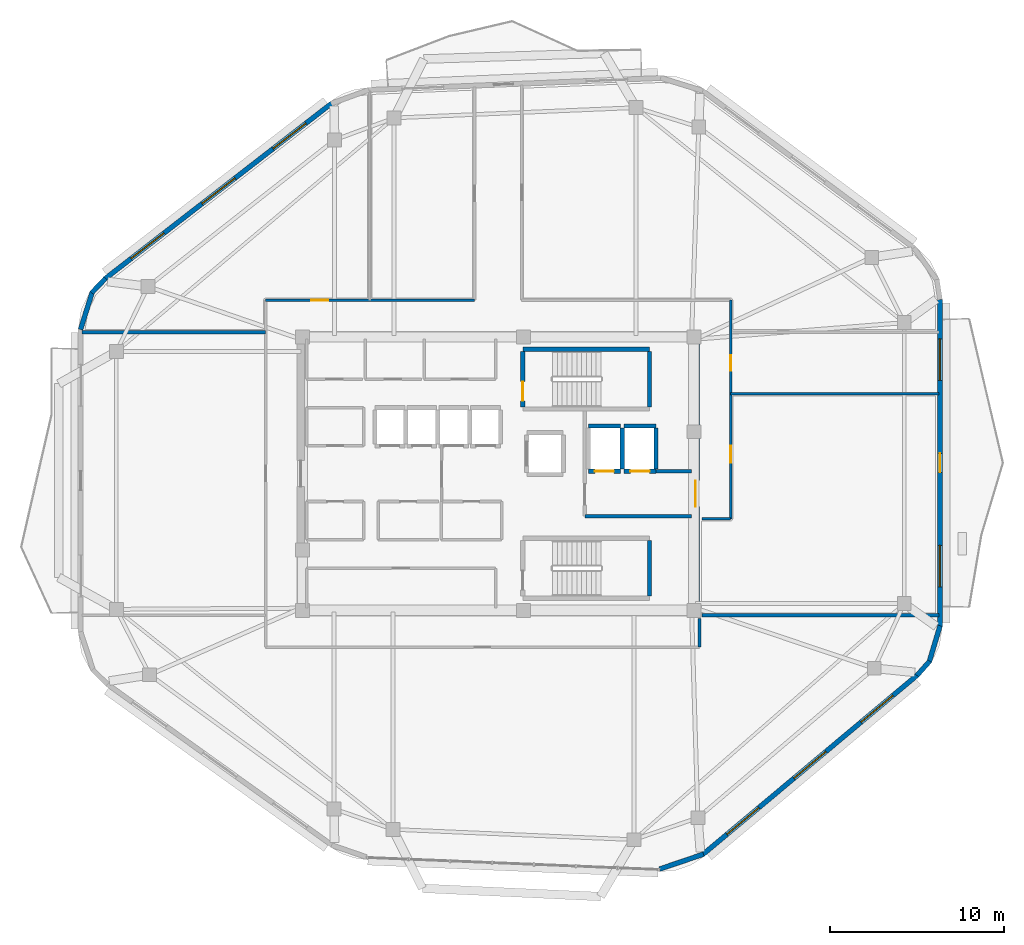
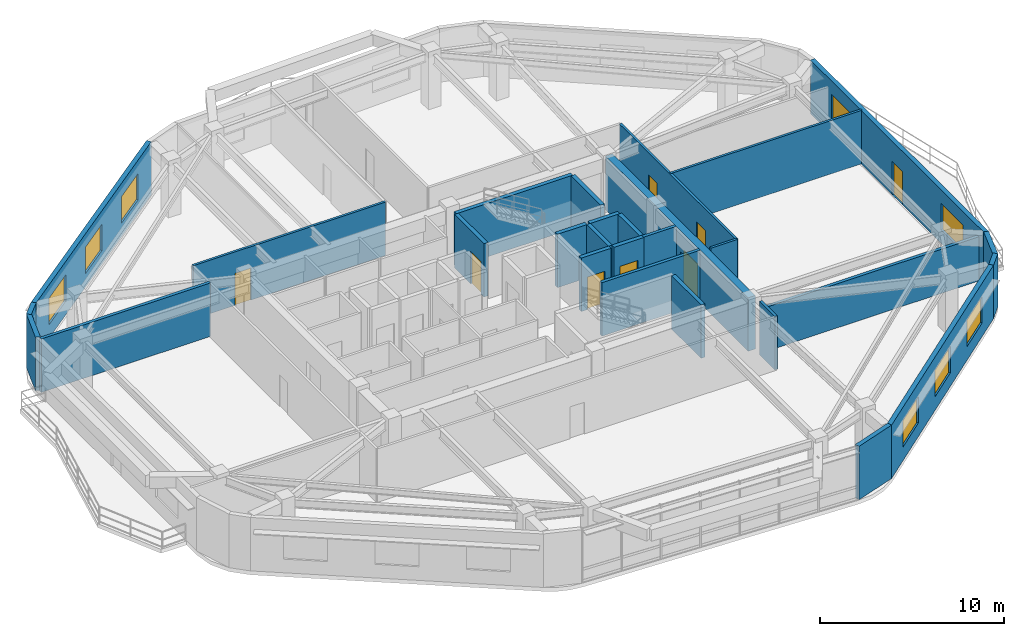
# One storey, part 9 of 13: 28 walls, 8 doors, 8 windows, 16 openings.
"""IFC4 building model written with IfcOpenShell, lengths in metres."""

from ifc_helpers import new_model, si_unit, direction, frame, frame_2d, origin, place, context, subcontext, project, spatial, rectangle, extrude, material, layer, layer_set, type_object, element, fill, save


model = new_model("IFC4")

# Units and contexts
model_context = context("Model", 3, precision=1e-05, world=origin(), true_north=direction((0.0, 1.0)))
body_context = subcontext(model_context, "Body", "Model", "MODEL_VIEW")
ifc_project = project(units=[si_unit("LENGTHUNIT", "METRE"), si_unit("AREAUNIT", "SQUARE_METRE"), si_unit("VOLUMEUNIT", "CUBIC_METRE"), si_unit("PLANEANGLEUNIT", "RADIAN"), si_unit("MASSUNIT", "GRAM", prefix="KILO")], contexts=[model_context])

# Site, building, storey
site_placement = place(None, origin())
site = spatial("IfcSite", under=ifc_project, at=site_placement, CompositionType="ELEMENT")
building_placement = place(site_placement, origin())
building = spatial("IfcBuilding", under=site, at=building_placement, Name="Zulverin Broadcast Headquarters", CompositionType="ELEMENT")
storey_placement = place(building_placement, frame((0.0, 0.0, 278.199951171875)))
storey = spatial("IfcBuildingStorey", under=building, at=storey_placement, Name="L71", CompositionType="ELEMENT", Elevation=278.199951171875)

# Walls
ifc_material_1 = material(Name="Acoustic drywall steel stud", Category="steel")
ifc_layer_1 = layer(ifc_material_1, 0.199951171875, Name="Acoustic drywall steel stud", Category="steel")
ifc_layer_set_1 = layer_set([ifc_layer_1], Name="Acoustic drywall steel stud")
wall_type_1 = type_object("IfcWallType", Name="WL-ACOU-200", PredefinedType="PARTITIONING", material=ifc_layer_set_1)
wall_1_placement = place(storey_placement, frame((48.739990234375, 17.050048828125, 0.0), z_axis=(0.0, 0.0, 1.0), x_axis=(1.0, 0.0, 0.0)))
element("IfcWall", 1, at=wall_1_placement, inside=storey, type_object=wall_type_1, Name="L71 Room Partition Wall RP-09", PredefinedType="PARTITIONING", context=body_context, shape_type="SweptSolid", body=[
    extrude(rectangle(XDim=13.655029296875, YDim=0.199951171875, at=frame_2d((6.82763671875, 0.0))), origin(), (0.0, 0.0, 1.0), 2.9228515625),
])
wall_2_placement = place(storey_placement, frame((13.0048828125, 33.35009765625, 0.0), z_axis=(0.0, 0.0, 1.0), x_axis=(1.0, 0.0, 0.0)))
element("IfcWall", 2, at=wall_2_placement, inside=storey, type_object=wall_type_1, Name="L71 Room Partition Wall RP-12", PredefinedType="PARTITIONING", context=body_context, shape_type="SweptSolid", body=[
    extrude(rectangle(XDim=10.59521484375, YDim=0.199951171875, at=frame_2d((5.297607421875, 0.0))), origin(), (0.0, 0.0, 1.0), 3.5400390625),
])

# Wall, opening, door
ifc_material_2 = material(Name="Concrete C50/60", Category="concrete")
ifc_layer_2 = layer(ifc_material_2, 0.449951171875, Name="Concrete C50/60", Category="concrete")
ifc_layer_set_2 = layer_set([ifc_layer_2], Name="Concrete C50/60")
wall_type_2 = type_object("IfcWallType", Name="WL-CORE-450", PredefinedType="SHEAR", material=ifc_layer_set_2)
wall_3_placement = place(storey_placement, frame((48.375, 17.449951171875, 0.0), z_axis=(0.0, 0.0, 1.0), x_axis=(0.0, 1.0, 0.0)))
wall_3 = element("IfcWall", 3, at=wall_3_placement, inside=storey, type_object=wall_type_2, Name="L71 Core East Shear Wall", PredefinedType="SHEAR", context=body_context, shape_type="SweptSolid", body=[
    extrude(rectangle(XDim=15.5, YDim=0.449951171875, at=frame_2d((7.75, 0.0))), origin(), (0.0, 0.0, 1.0), 3.5400390625),
])
opening_1_placement = place(wall_3_placement, frame((5.85009765625, 0.0, 0.0)))
opening_1 = element("IfcOpeningElement", 4, at=opening_1_placement, cuts=wall_3, Name="Opening D-L71-CE1", PredefinedType="OPENING", context=body_context, shape_type="SweptSolid", body=[
    extrude(rectangle(XDim=1.5, YDim=2.14990234375, at=frame_2d((0.75, 1.074951171875))), frame((0.0, 0.23486328125, 0.0), z_axis=(0.0, -1.0, 0.0), x_axis=(1.0, 0.0, 0.0)), (0.0, 0.0, 1.0), 0.469970703125),
])
ifc_material_3 = material(Name="Fire-rated glazed steel frame", Category="steel")
door_type_1 = type_object("IfcDoorType", Name="DR-COR-1500", OperationType="DOUBLE_DOOR_SINGLE_SWING", PredefinedType="DOOR", material=ifc_material_3)
door_1_placement = place(opening_1_placement, origin())
door_1 = element("IfcDoor", 5, at=door_1_placement, inside=storey, type_object=door_type_1, Name="L71 Firefighting Lobby East Corridor Door", OperationType="DOUBLE_DOOR_SINGLE_SWING", OverallHeight=2.14990234375, OverallWidth=1.5, PredefinedType="DOOR", context=body_context, shape_type="SweptSolid", body=[
    extrude(rectangle(XDim=1.5, YDim=2.14990234375, at=frame_2d((0.75, 1.074951171875))), frame((0.0, 0.02490234375, 0.0), z_axis=(0.0, -1.0, 0.0), x_axis=(1.0, 0.0, 0.0)), (0.0, 0.0, 1.0), 0.050048828125),
])
fill(opening_1, door_1)

# Wall, openings, windows
ifc_material_4 = material(Name="Insulated pale-metal clad concrete spandrel C40/50", Category="concrete")
ifc_layer_3 = layer(ifc_material_4, 0.280029296875, Name="Insulated pale-metal clad concrete spandrel C40/50", Category="concrete")
ifc_layer_set_3 = layer_set([ifc_layer_3], Name="Insulated pale-metal clad concrete spandrel C40/50")
wall_type_3 = type_object("IfcWallType", Name="WL-EXT-280", PredefinedType="STANDARD", material=ifc_layer_set_3)
wall_4_placement = place(storey_placement, frame((48.788818359375, 3.249755859375, 0.0), z_axis=(0.0, 0.0, 1.0), x_axis=(0.767032672101, 0.641608042288, 0.0)))
wall_4 = element("IfcWall", 6, at=wall_4_placement, inside=storey, type_object=wall_type_3, Name="L71 Pale-Metal Clad Spandrel Wall 2", PredefinedType="STANDARD", context=body_context, shape_type="SweptSolid", body=[
    extrude(rectangle(XDim=16.11328125, YDim=0.280029296875, at=frame_2d((8.056640625, 0.0))), origin(), (0.0, 0.0, 1.0), 3.5400390625),
])
opening_2_placement = place(wall_4_placement, frame((1.81884765625, 0.0, 0.89990234375)))
opening_2 = element("IfcOpeningElement", 7, at=opening_2_placement, cuts=wall_4, Name="Opening W-L71-E21", PredefinedType="OPENING", context=body_context, shape_type="SweptSolid", body=[
    extrude(rectangle(XDim=2.39990234375, YDim=1.75, at=frame_2d((1.199951171875, 0.875))), frame((0.0, 0.14990234375, 0.0), z_axis=(0.0, -1.0, 0.0), x_axis=(1.0, 0.0, 0.0)), (0.0, 0.0, 1.0), 0.300048828125),
])
opening_3_placement = place(wall_4_placement, frame((6.856689453125, 0.0, 0.89990234375)))
opening_3 = element("IfcOpeningElement", 8, at=opening_3_placement, cuts=wall_4, Name="Opening W-L71-E22", PredefinedType="OPENING", context=body_context, shape_type="SweptSolid", body=[
    extrude(rectangle(XDim=2.39990234375, YDim=1.75, at=frame_2d((1.199951171875, 0.875))), frame((0.0, 0.14990234375, 0.0), z_axis=(0.0, -1.0, 0.0), x_axis=(1.0, 0.0, 0.0)), (0.0, 0.0, 1.0), 0.300048828125),
])
opening_4_placement = place(wall_4_placement, frame((11.89453125, 0.0, 0.89990234375)))
opening_4 = element("IfcOpeningElement", 9, at=opening_4_placement, cuts=wall_4, Name="Opening W-L71-E23", PredefinedType="OPENING", context=body_context, shape_type="SweptSolid", body=[
    extrude(rectangle(XDim=2.39990234375, YDim=1.75, at=frame_2d((1.199951171875, 0.875))), frame((0.0, 0.14990234375, 0.0), z_axis=(0.0, -1.0, 0.0), x_axis=(1.0, 0.0, 0.0)), (0.0, 0.0, 1.0), 0.300048828125),
])
ifc_material_5 = material(Name="Pale anodized aluminium frame with solar-control low-E double glazing", Category="aluminium")
window_type = type_object("IfcWindowType", Name="WIN-RIB-2400", PartitioningType="SINGLE_PANEL", PredefinedType="WINDOW", material=ifc_material_5)
window_1_placement = place(opening_2_placement, origin())
window_1 = element("IfcWindow", 10, at=window_1_placement, inside=storey, type_object=window_type, Name="L71 Ribbon Glazing Window 2 1", OverallHeight=1.75, OverallWidth=2.39990234375, PartitioningType="SINGLE_PANEL", PredefinedType="WINDOW", context=body_context, shape_type="SweptSolid", body=[
    extrude(rectangle(XDim=2.39990234375, YDim=1.75, at=frame_2d((1.199951171875, 0.875))), frame((0.0, 0.030029296875, 0.0), z_axis=(0.0, -1.0, 0.0), x_axis=(1.0, 0.0, 0.0)), (0.0, 0.0, 1.0), 0.06005859375),
])
fill(opening_2, window_1)
window_2_placement = place(opening_3_placement, origin())
window_2 = element("IfcWindow", 11, at=window_2_placement, inside=storey, type_object=window_type, Name="L71 Ribbon Glazing Window 2 2", OverallHeight=1.75, OverallWidth=2.39990234375, PartitioningType="SINGLE_PANEL", PredefinedType="WINDOW", context=body_context, shape_type="SweptSolid", body=[
    extrude(rectangle(XDim=2.39990234375, YDim=1.75, at=frame_2d((1.199951171875, 0.875))), frame((0.0, 0.030029296875, 0.0), z_axis=(0.0, -1.0, 0.0), x_axis=(1.0, 0.0, 0.0)), (0.0, 0.0, 1.0), 0.06005859375),
])
fill(opening_3, window_2)
window_3_placement = place(opening_4_placement, origin())
window_3 = element("IfcWindow", 12, at=window_3_placement, inside=storey, type_object=window_type, Name="L71 Ribbon Glazing Window 2 3", OverallHeight=1.75, OverallWidth=2.39990234375, PartitioningType="SINGLE_PANEL", PredefinedType="WINDOW", context=body_context, shape_type="SweptSolid", body=[
    extrude(rectangle(XDim=2.39990234375, YDim=1.75, at=frame_2d((1.199951171875, 0.875))), frame((0.0, 0.030029296875, 0.0), z_axis=(0.0, -1.0, 0.0), x_axis=(1.0, 0.0, 0.0)), (0.0, 0.0, 1.0), 0.06005859375),
])
fill(opening_4, window_3)

# Wall, openings, door, windows
wall_5_placement = place(storey_placement, frame((62.4599609375, 16.3955078125, 0.0), z_axis=(0.0, 0.0, 1.0), x_axis=(0.0, 1.0, 0.0)))
wall_5 = element("IfcWall", 13, at=wall_5_placement, inside=storey, type_object=wall_type_3, Name="L71 Pale-Metal Clad Spandrel Wall 3", PredefinedType="STANDARD", context=body_context, shape_type="SweptSolid", body=[
    extrude(rectangle(XDim=18.8544921875, YDim=0.280029296875, at=frame_2d((9.42724609375, 0.0))), origin(), (0.0, 0.0, 1.0), 3.5400390625),
])
opening_5_placement = place(wall_5_placement, frame((8.877197265625, 0.0, 0.0)))
opening_5 = element("IfcOpeningElement", 14, at=opening_5_placement, cuts=wall_5, Name="Opening D-L71-TR3", PredefinedType="OPENING", context=body_context, shape_type="SweptSolid", body=[
    extrude(rectangle(XDim=1.10009765625, YDim=2.199951171875, at=frame_2d((0.550048828125, 1.10009765625))), frame((0.0, 0.14990234375, 0.0), z_axis=(0.0, -1.0, 0.0), x_axis=(1.0, 0.0, 0.0)), (0.0, 0.0, 1.0), 0.300048828125),
])
opening_6_placement = place(wall_5_placement, frame((2.27587890625, 0.0, 0.89990234375)))
opening_6 = element("IfcOpeningElement", 15, at=opening_6_placement, cuts=wall_5, Name="Opening W-L71-E31", PredefinedType="OPENING", context=body_context, shape_type="SweptSolid", body=[
    extrude(rectangle(XDim=2.39990234375, YDim=1.75, at=frame_2d((1.199951171875, 0.875))), frame((0.0, 0.14990234375, 0.0), z_axis=(0.0, -1.0, 0.0), x_axis=(1.0, 0.0, 0.0)), (0.0, 0.0, 1.0), 0.300048828125),
])
opening_7_placement = place(wall_5_placement, frame((14.1787109375, 0.0, 0.89990234375)))
opening_7 = element("IfcOpeningElement", 16, at=opening_7_placement, cuts=wall_5, Name="Opening W-L71-E32", PredefinedType="OPENING", context=body_context, shape_type="SweptSolid", body=[
    extrude(rectangle(XDim=2.39990234375, YDim=1.75, at=frame_2d((1.199951171875, 0.875))), frame((0.0, 0.14990234375, 0.0), z_axis=(0.0, -1.0, 0.0), x_axis=(1.0, 0.0, 0.0)), (0.0, 0.0, 1.0), 0.300048828125),
])
ifc_material_6 = material(Name="Thermally broken aluminium glazed", Category="aluminium")
door_type_2 = type_object("IfcDoorType", Name="DR-TERR-1100", OperationType="SINGLE_SWING_RIGHT", PredefinedType="DOOR", material=ifc_material_6)
door_2_placement = place(opening_5_placement, origin())
door_2 = element("IfcDoor", 17, at=door_2_placement, inside=storey, type_object=door_type_2, Name="L71 Planted Terrace Glazed Access Door 3", OperationType="SINGLE_SWING_RIGHT", OverallHeight=2.199951171875, OverallWidth=1.10009765625, PredefinedType="DOOR", context=body_context, shape_type="SweptSolid", body=[
    extrude(rectangle(XDim=1.10009765625, YDim=2.199951171875, at=frame_2d((0.550048828125, 1.10009765625))), frame((0.0, 0.02490234375, 0.0), z_axis=(0.0, -1.0, 0.0), x_axis=(1.0, 0.0, 0.0)), (0.0, 0.0, 1.0), 0.050048828125),
])
fill(opening_5, door_2)
window_4_placement = place(opening_6_placement, origin())
window_4 = element("IfcWindow", 18, at=window_4_placement, inside=storey, type_object=window_type, Name="L71 Ribbon Glazing Window 3 1", OverallHeight=1.75, OverallWidth=2.39990234375, PartitioningType="SINGLE_PANEL", PredefinedType="WINDOW", context=body_context, shape_type="SweptSolid", body=[
    extrude(rectangle(XDim=2.39990234375, YDim=1.75, at=frame_2d((1.199951171875, 0.875))), frame((0.0, 0.030029296875, 0.0), z_axis=(0.0, -1.0, 0.0), x_axis=(1.0, 0.0, 0.0)), (0.0, 0.0, 1.0), 0.06005859375),
])
fill(opening_6, window_4)
window_5_placement = place(opening_7_placement, origin())
window_5 = element("IfcWindow", 19, at=window_5_placement, inside=storey, type_object=window_type, Name="L71 Ribbon Glazing Window 3 2", OverallHeight=1.75, OverallWidth=2.39990234375, PartitioningType="SINGLE_PANEL", PredefinedType="WINDOW", context=body_context, shape_type="SweptSolid", body=[
    extrude(rectangle(XDim=2.39990234375, YDim=1.75, at=frame_2d((1.199951171875, 0.875))), frame((0.0, 0.030029296875, 0.0), z_axis=(0.0, -1.0, 0.0), x_axis=(1.0, 0.0, 0.0)), (0.0, 0.0, 1.0), 0.06005859375),
])
fill(opening_7, window_5)

# Wall, openings, windows
wall_6_placement = place(storey_placement, frame((27.4150390625, 46.54736328125, 0.0), z_axis=(0.0, 0.0, 1.0), x_axis=(-0.790789745248, -0.612087884875, 0.0)))
wall_6 = element("IfcWall", 20, at=wall_6_placement, inside=storey, type_object=wall_type_3, Name="L71 Pale-Metal Clad Spandrel Wall 6", PredefinedType="STANDARD", context=body_context, shape_type="SweptSolid", body=[
    extrude(rectangle(XDim=16.509033203125, YDim=0.280029296875, at=frame_2d((8.25439453125, 0.0))), origin(), (0.0, 0.0, 1.0), 3.5400390625),
])
opening_8_placement = place(wall_6_placement, frame((1.885009765625, 0.0, 0.89990234375)))
opening_8 = element("IfcOpeningElement", 21, at=opening_8_placement, cuts=wall_6, Name="Opening W-L71-E61", PredefinedType="OPENING", context=body_context, shape_type="SweptSolid", body=[
    extrude(rectangle(XDim=2.39990234375, YDim=1.75, at=frame_2d((1.199951171875, 0.875))), frame((0.0, 0.14990234375, 0.0), z_axis=(0.0, -1.0, 0.0), x_axis=(1.0, 0.0, 0.0)), (0.0, 0.0, 1.0), 0.300048828125),
])
opening_9_placement = place(wall_6_placement, frame((7.0546875, 0.0, 0.89990234375)))
opening_9 = element("IfcOpeningElement", 22, at=opening_9_placement, cuts=wall_6, Name="Opening W-L71-E62", PredefinedType="OPENING", context=body_context, shape_type="SweptSolid", body=[
    extrude(rectangle(XDim=2.39990234375, YDim=1.75, at=frame_2d((1.199951171875, 0.875))), frame((0.0, 0.14990234375, 0.0), z_axis=(0.0, -1.0, 0.0), x_axis=(1.0, 0.0, 0.0)), (0.0, 0.0, 1.0), 0.300048828125),
])
opening_10_placement = place(wall_6_placement, frame((12.224365234375, 0.0, 0.89990234375)))
opening_10 = element("IfcOpeningElement", 23, at=opening_10_placement, cuts=wall_6, Name="Opening W-L71-E63", PredefinedType="OPENING", context=body_context, shape_type="SweptSolid", body=[
    extrude(rectangle(XDim=2.39990234375, YDim=1.75, at=frame_2d((1.199951171875, 0.875))), frame((0.0, 0.14990234375, 0.0), z_axis=(0.0, -1.0, 0.0), x_axis=(1.0, 0.0, 0.0)), (0.0, 0.0, 1.0), 0.300048828125),
])
window_6_placement = place(opening_8_placement, origin())
window_6 = element("IfcWindow", 24, at=window_6_placement, inside=storey, type_object=window_type, Name="L71 Ribbon Glazing Window 6 1", OverallHeight=1.75, OverallWidth=2.39990234375, PartitioningType="SINGLE_PANEL", PredefinedType="WINDOW", context=body_context, shape_type="SweptSolid", body=[
    extrude(rectangle(XDim=2.39990234375, YDim=1.75, at=frame_2d((1.199951171875, 0.875))), frame((0.0, 0.030029296875, 0.0), z_axis=(0.0, -1.0, 0.0), x_axis=(1.0, 0.0, 0.0)), (0.0, 0.0, 1.0), 0.06005859375),
])
fill(opening_8, window_6)
window_7_placement = place(opening_9_placement, origin())
window_7 = element("IfcWindow", 25, at=window_7_placement, inside=storey, type_object=window_type, Name="L71 Ribbon Glazing Window 6 2", OverallHeight=1.75, OverallWidth=2.39990234375, PartitioningType="SINGLE_PANEL", PredefinedType="WINDOW", context=body_context, shape_type="SweptSolid", body=[
    extrude(rectangle(XDim=2.39990234375, YDim=1.75, at=frame_2d((1.199951171875, 0.875))), frame((0.0, 0.030029296875, 0.0), z_axis=(0.0, -1.0, 0.0), x_axis=(1.0, 0.0, 0.0)), (0.0, 0.0, 1.0), 0.06005859375),
])
fill(opening_9, window_7)
window_8_placement = place(opening_10_placement, origin())
window_8 = element("IfcWindow", 26, at=window_8_placement, inside=storey, type_object=window_type, Name="L71 Ribbon Glazing Window 6 3", OverallHeight=1.75, OverallWidth=2.39990234375, PartitioningType="SINGLE_PANEL", PredefinedType="WINDOW", context=body_context, shape_type="SweptSolid", body=[
    extrude(rectangle(XDim=2.39990234375, YDim=1.75, at=frame_2d((1.199951171875, 0.875))), frame((0.0, 0.030029296875, 0.0), z_axis=(0.0, -1.0, 0.0), x_axis=(1.0, 0.0, 0.0)), (0.0, 0.0, 1.0), 0.06005859375),
])
fill(opening_10, window_8)

# Walls
wall_7_placement = place(storey_placement, frame((46.301025390625, 2.413818359375, 0.0), z_axis=(0.0, 0.0, 1.0), x_axis=(0.946767737654, 0.321917459819, 0.0)))
element("IfcWall", 27, at=wall_7_placement, inside=storey, type_object=wall_type_3, Name="L71 Wind-Shaped Corner Spandrel Wall 1-1", PredefinedType="STANDARD", context=body_context, shape_type="SweptSolid", body=[
    extrude(rectangle(XDim=2.6748046875, YDim=0.280029296875, at=frame_2d((1.33740234375, 0.0))), origin(), (0.0, 0.0, 1.0), 3.5400390625),
])
wall_8_placement = place(storey_placement, frame((61.133544921875, 13.573974609375, 0.0), z_axis=(0.0, 0.0, 1.0), x_axis=(0.665804679247, 0.74612608123, 0.0)))
element("IfcWall", 28, at=wall_8_placement, inside=storey, type_object=wall_type_3, Name="L71 Wind-Shaped Corner Spandrel Wall 2-1", PredefinedType="STANDARD", context=body_context, shape_type="SweptSolid", body=[
    extrude(rectangle(XDim=1.103271484375, YDim=0.280029296875, at=frame_2d((0.5517578125, 0.0))), origin(), (0.0, 0.0, 1.0), 3.5400390625),
])
wall_9_placement = place(storey_placement, frame((61.838623046875, 14.34423828125, 0.0), z_axis=(0.0, 0.0, 1.0), x_axis=(0.287235049694, 0.957860128739, 0.0)))
element("IfcWall", 29, at=wall_9_placement, inside=storey, type_object=wall_type_3, Name="L71 Wind-Shaped Corner Spandrel Wall 2-2", PredefinedType="STANDARD", context=body_context, shape_type="SweptSolid", body=[
    extrude(rectangle(XDim=2.18359375, YDim=0.280029296875, at=frame_2d((1.091796875, 0.0))), origin(), (0.0, 0.0, 1.0), 3.5400390625),
])
wall_10_placement = place(storey_placement, frame((14.37548828125, 36.45654296875, 0.0), z_axis=(0.0, 0.0, 1.0), x_axis=(-0.68895569752, -0.724803453948, 0.0)))
element("IfcWall", 30, at=wall_10_placement, inside=storey, type_object=wall_type_3, Name="L71 Wind-Shaped Corner Spandrel Wall 6-1", PredefinedType="STANDARD", context=body_context, shape_type="SweptSolid", body=[
    extrude(rectangle(XDim=1.15087890625, YDim=0.280029296875, at=frame_2d((0.575439453125, 0.0))), origin(), (0.0, 0.0, 1.0), 3.5400390625),
])
wall_11_placement = place(storey_placement, frame((13.61474609375, 35.677001953125, 0.0), z_axis=(0.0, 0.0, 1.0), x_axis=(-0.299374552426, -0.954135670311, 0.0)))
element("IfcWall", 31, at=wall_11_placement, inside=storey, type_object=wall_type_3, Name="L71 Wind-Shaped Corner Spandrel Wall 6-2", PredefinedType="STANDARD", context=body_context, shape_type="SweptSolid", body=[
    extrude(rectangle(XDim=2.275146484375, YDim=0.280029296875, at=frame_2d((1.1376953125, 0.0))), origin(), (0.0, 0.0, 1.0), 3.5400390625),
])
ifc_material_7 = material(Name="Concrete C40/50", Category="concrete")
ifc_layer_4 = layer(ifc_material_7, 0.199951171875, Name="Concrete C40/50", Category="concrete")
ifc_layer_set_4 = layer_set([ifc_layer_4], Name="Concrete C40/50")
wall_type_4 = type_object("IfcWallType", Name="WL-FFL-200", PredefinedType="SOLIDWALL", material=ifc_layer_set_4)
wall_12_placement = place(storey_placement, frame((42.0, 22.75, 0.0), z_axis=(0.0, 0.0, 1.0), x_axis=(1.0, 0.0, 0.0)))
element("IfcWall", 32, at=wall_12_placement, inside=storey, type_object=wall_type_4, Name="L71 Firefighting Lift Lobby South Wall", PredefinedType="SOLIDWALL", context=body_context, shape_type="SweptSolid", body=[
    extrude(rectangle(XDim=6.14990234375, YDim=0.199951171875, at=frame_2d((3.074951171875, 0.0))), origin(), (0.0, 0.0, 1.0), 3.5400390625),
])
wall_13_placement = place(storey_placement, frame((46.10009765625, 25.35009765625, 0.0), z_axis=(0.0, 0.0, 1.0), x_axis=(1.0, 0.0, 0.0)))
element("IfcWall", 33, at=wall_13_placement, inside=storey, type_object=wall_type_4, Name="L71 Firefighting Lift Lobby North Wall", PredefinedType="SOLIDWALL", context=body_context, shape_type="SweptSolid", body=[
    extrude(rectangle(XDim=2.0498046875, YDim=0.199951171875, at=frame_2d((1.02490234375, 0.0))), origin(), (0.0, 0.0, 1.0), 3.5400390625),
])

# Wall, openings, doors
ifc_material_8 = material(Name="Fire-rated gypsum stud partition", Category="gypsum")
ifc_layer_5 = layer(ifc_material_8, 0.14990234375, Name="Fire-rated gypsum stud partition", Category="gypsum")
ifc_layer_set_5 = layer_set([ifc_layer_5], Name="Fire-rated gypsum stud partition")
wall_type_5 = type_object("IfcWallType", Name="WL-PART-150", PredefinedType="PARTITIONING", material=ifc_layer_set_5)
wall_14_placement = place(storey_placement, frame((50.39990234375, 22.60009765625, 0.0), z_axis=(0.0, 0.0, 1.0), x_axis=(0.0, 1.0, 0.0)))
wall_14 = element("IfcWall", 34, at=wall_14_placement, inside=storey, type_object=wall_type_5, Name="L71 Gallery Partition Wall CG-01", PredefinedType="PARTITIONING", context=body_context, shape_type="SweptSolid", body=[
    extrude(rectangle(XDim=12.599853515625, YDim=0.14990234375, at=frame_2d((6.2998046875, 0.0))), origin(), (0.0, 0.0, 1.0), 3.5400390625),
])
opening_11_placement = place(wall_14_placement, frame((3.219970703125, 0.0, 0.0)))
opening_11 = element("IfcOpeningElement", 35, at=opening_11_placement, cuts=wall_14, Name="Opening D-L71-06", PredefinedType="OPENING", context=body_context, shape_type="SweptSolid", body=[
    extrude(rectangle(XDim=1.0, YDim=2.1201171875, at=frame_2d((0.5, 1.06005859375))), frame((0.0, 0.0849609375, 0.0), z_axis=(0.0, -1.0, 0.0), x_axis=(1.0, 0.0, 0.0)), (0.0, 0.0, 1.0), 0.169921875),
])
opening_12_placement = place(wall_14_placement, frame((8.52490234375, 0.0, 0.0)))
opening_12 = element("IfcOpeningElement", 36, at=opening_12_placement, cuts=wall_14, Name="Opening D-L71-07", PredefinedType="OPENING", context=body_context, shape_type="SweptSolid", body=[
    extrude(rectangle(XDim=0.89990234375, YDim=2.10009765625, at=frame_2d((0.449951171875, 1.050048828125))), frame((0.0, 0.0849609375, 0.0), z_axis=(0.0, -1.0, 0.0), x_axis=(1.0, 0.0, 0.0)), (0.0, 0.0, 1.0), 0.169921875),
])
ifc_material_9 = material(Name="Hardwood veneer acoustic leaf", Category="wood")
door_type_3 = type_object("IfcDoorType", Name="DR-OFF-1000", OperationType="SINGLE_SWING_LEFT", PredefinedType="DOOR", material=ifc_material_9)
door_3_placement = place(opening_11_placement, origin())
door_3 = element("IfcDoor", 37, at=door_3_placement, inside=storey, type_object=door_type_3, Name="L71 VIP Green Room Office Door", OperationType="SINGLE_SWING_LEFT", OverallHeight=2.1201171875, OverallWidth=1.0, PredefinedType="DOOR", context=body_context, shape_type="SweptSolid", body=[
    extrude(rectangle(XDim=1.0, YDim=2.1201171875, at=frame_2d((0.5, 1.06005859375))), frame((0.0, 0.02490234375, 0.0), z_axis=(0.0, -1.0, 0.0), x_axis=(1.0, 0.0, 0.0)), (0.0, 0.0, 1.0), 0.050048828125),
])
fill(opening_11, door_3)
ifc_material_10 = material(Name="Fire-rated hardwood veneer timber leaf", Category="wood")
door_type_4 = type_object("IfcDoorType", Name="DR-ROOM-900", OperationType="SINGLE_SWING_RIGHT", PredefinedType="DOOR", material=ifc_material_10)
door_4_placement = place(opening_12_placement, origin())
door_4 = element("IfcDoor", 38, at=door_4_placement, inside=storey, type_object=door_type_4, Name="L71 Executive Dining Restaurant Door", OperationType="SINGLE_SWING_RIGHT", OverallHeight=2.10009765625, OverallWidth=0.89990234375, PredefinedType="DOOR", context=body_context, shape_type="SweptSolid", body=[
    extrude(rectangle(XDim=0.89990234375, YDim=2.10009765625, at=frame_2d((0.449951171875, 1.050048828125))), frame((0.0, 0.02490234375, 0.0), z_axis=(0.0, -1.0, 0.0), x_axis=(1.0, 0.0, 0.0)), (0.0, 0.0, 1.0), 0.050048828125),
])
fill(opening_12, door_4)

# Walls
wall_15_placement = place(storey_placement, frame((48.60009765625, 15.199951171875, 0.0), z_axis=(0.0, 0.0, 1.0), x_axis=(0.0, 1.0, 0.0)))
element("IfcWall", 39, at=wall_15_placement, inside=storey, type_object=wall_type_5, Name="L71 Gallery Partition Wall CG-02", PredefinedType="PARTITIONING", context=body_context, shape_type="SweptSolid", body=[
    extrude(rectangle(XDim=1.66015625, YDim=0.14990234375, at=frame_2d((0.830078125, 0.0))), origin(), (0.0, 0.0, 1.0), 3.5400390625),
])
wall_16_placement = place(storey_placement, frame((48.739990234375, 22.60009765625, 0.0), z_axis=(0.0, 0.0, 1.0), x_axis=(1.0, 0.0, 0.0)))
element("IfcWall", 40, at=wall_16_placement, inside=storey, type_object=wall_type_5, Name="L71 Gallery Partition Wall CG-10", PredefinedType="PARTITIONING", context=body_context, shape_type="SweptSolid", body=[
    extrude(rectangle(XDim=1.659912109375, YDim=0.14990234375, at=frame_2d((0.830078125, 0.0))), origin(), (0.0, 0.0, 1.0), 3.5400390625),
])
wall_17_placement = place(storey_placement, frame((50.39990234375, 29.800048828125, 0.0), z_axis=(0.0, 0.0, 1.0), x_axis=(1.0, 0.0, 0.0)))
element("IfcWall", 41, at=wall_17_placement, inside=storey, type_object=wall_type_5, Name="L71 Room Partition Wall RP-11", PredefinedType="PARTITIONING", context=body_context, shape_type="SweptSolid", body=[
    extrude(rectangle(XDim=11.9951171875, YDim=0.14990234375, at=frame_2d((5.99755859375, 0.0))), origin(), (0.0, 0.0, 1.0), 3.5400390625),
])

# Wall, opening, door
wall_18_placement = place(storey_placement, frame((23.60009765625, 35.199951171875, 0.0), z_axis=(0.0, 0.0, 1.0), x_axis=(1.0, 0.0, 0.0)))
wall_18 = element("IfcWall", 42, at=wall_18_placement, inside=storey, type_object=wall_type_5, Name="L71 Gallery Partition Wall CG-14", PredefinedType="PARTITIONING", context=body_context, shape_type="SweptSolid", body=[
    extrude(rectangle(XDim=12.0498046875, YDim=0.14990234375, at=frame_2d((6.02490234375, 0.0))), origin(), (0.0, 0.0, 1.0), 3.5400390625),
])
opening_13_placement = place(wall_18_placement, frame((2.6201171875, 0.0, 0.0)))
opening_13 = element("IfcOpeningElement", 43, at=opening_13_placement, cuts=wall_18, Name="Opening D-L71-01", PredefinedType="OPENING", context=body_context, shape_type="SweptSolid", body=[
    extrude(rectangle(XDim=1.0, YDim=2.1201171875, at=frame_2d((0.5, 1.06005859375))), frame((0.0, 0.0849609375, 0.0), z_axis=(0.0, -1.0, 0.0), x_axis=(1.0, 0.0, 0.0)), (0.0, 0.0, 1.0), 0.169921875),
])
door_5_placement = place(opening_13_placement, origin())
door_5 = element("IfcDoor", 44, at=door_5_placement, inside=storey, type_object=door_type_3, Name="L71 VIP Green Room Office Door", OperationType="SINGLE_SWING_RIGHT", OverallHeight=2.1201171875, OverallWidth=1.0, PredefinedType="DOOR", context=body_context, shape_type="SweptSolid", body=[
    extrude(rectangle(XDim=1.0, YDim=2.1201171875, at=frame_2d((0.5, 1.06005859375))), frame((0.0, 0.02490234375, 0.0), z_axis=(0.0, -1.0, 0.0), x_axis=(1.0, 0.0, 0.0)), (0.0, 0.0, 1.0), 0.050048828125),
])
fill(opening_13, door_5)

# Wall
ifc_layer_6 = layer(ifc_material_2, 0.25, Name="Concrete C50/60", Category="concrete")
ifc_layer_set_6 = layer_set([ifc_layer_6], Name="Concrete C50/60")
wall_type_6 = type_object("IfcWallType", Name="WL-SHAFT-250", PredefinedType="SHEAR", material=ifc_layer_set_6)
wall_19_placement = place(storey_placement, frame((38.425048828125, 32.375, 0.0), z_axis=(0.0, 0.0, 1.0), x_axis=(1.0, 0.0, 0.0)))
element("IfcWall", 45, at=wall_19_placement, inside=storey, type_object=wall_type_6, Name="L71 ST-1 Enclosure Wall N", PredefinedType="SHEAR", context=body_context, shape_type="SweptSolid", body=[
    extrude(rectangle(XDim=7.300048828125, YDim=0.25, at=frame_2d((3.64990234375, 0.0))), origin(), (0.0, 0.0, 1.0), 3.5400390625),
])

# Wall, opening, door
wall_20_placement = place(storey_placement, frame((38.425048828125, 29.050048828125, 0.0), z_axis=(0.0, 0.0, 1.0), x_axis=(0.0, 1.0, 0.0)))
wall_20 = element("IfcWall", 46, at=wall_20_placement, inside=storey, type_object=wall_type_6, Name="L71 ST-1 Enclosure Wall W", PredefinedType="SHEAR", context=body_context, shape_type="SweptSolid", body=[
    extrude(rectangle(XDim=3.199951171875, YDim=0.25, at=frame_2d((1.60009765625, 0.0))), origin(), (0.0, 0.0, 1.0), 3.5400390625),
])
opening_14_placement = place(wall_20_placement, frame((0.35009765625, 0.0, 0.0)))
opening_14 = element("IfcOpeningElement", 47, at=opening_14_placement, cuts=wall_20, Name="Opening D-L71-ST-1", PredefinedType="OPENING", context=body_context, shape_type="SweptSolid", body=[
    extrude(rectangle(XDim=1.10009765625, YDim=2.14990234375, at=frame_2d((0.550048828125, 1.074951171875))), frame((0.0, 0.135009765625, 0.0), z_axis=(0.0, -1.0, 0.0), x_axis=(1.0, 0.0, 0.0)), (0.0, 0.0, 1.0), 0.27001953125),
])
ifc_material_11 = material(Name="Fire-rated steel leaf and frame", Category="steel")
door_type_5 = type_object("IfcDoorType", Name="DR-STAIR-1100", OperationType="SINGLE_SWING_LEFT", PredefinedType="DOOR", material=ifc_material_11)
door_6_placement = place(opening_14_placement, origin())
door_6 = element("IfcDoor", 48, at=door_6_placement, inside=storey, type_object=door_type_5, Name="L71 Exit Stair ST-1 Fire Door", OperationType="SINGLE_SWING_LEFT", OverallHeight=2.14990234375, OverallWidth=1.10009765625, PredefinedType="DOOR", context=body_context, shape_type="SweptSolid", body=[
    extrude(rectangle(XDim=1.10009765625, YDim=2.14990234375, at=frame_2d((0.550048828125, 1.074951171875))), frame((0.0, 0.02490234375, 0.0), z_axis=(0.0, -1.0, 0.0), x_axis=(1.0, 0.0, 0.0)), (0.0, 0.0, 1.0), 0.050048828125),
])
fill(opening_14, door_6)

# Walls
wall_21_placement = place(storey_placement, frame((45.72509765625, 29.050048828125, 0.0), z_axis=(0.0, 0.0, 1.0), x_axis=(0.0, 1.0, 0.0)))
element("IfcWall", 49, at=wall_21_placement, inside=storey, type_object=wall_type_6, Name="L71 ST-1 Enclosure Wall E", PredefinedType="SHEAR", context=body_context, shape_type="SweptSolid", body=[
    extrude(rectangle(XDim=3.199951171875, YDim=0.25, at=frame_2d((1.60009765625, 0.0))), origin(), (0.0, 0.0, 1.0), 3.5400390625),
])
wall_22_placement = place(storey_placement, frame((45.72509765625, 18.14990234375, 0.0), z_axis=(0.0, 0.0, 1.0), x_axis=(0.0, 1.0, 0.0)))
element("IfcWall", 50, at=wall_22_placement, inside=storey, type_object=wall_type_6, Name="L71 ST-2 Enclosure Wall E", PredefinedType="SHEAR", context=body_context, shape_type="SweptSolid", body=[
    extrude(rectangle(XDim=3.2001953125, YDim=0.25, at=frame_2d((1.60009765625, 0.0))), origin(), (0.0, 0.0, 1.0), 3.5400390625),
])

# Wall, opening, door
wall_23_placement = place(storey_placement, frame((42.199951171875, 25.35009765625, 0.0), z_axis=(0.0, 0.0, 1.0), x_axis=(1.0, 0.0, 0.0)))
wall_23 = element("IfcWall", 51, at=wall_23_placement, inside=storey, type_object=wall_type_6, Name="L71 Lift FFL-1 Shaft Wall S", PredefinedType="SHEAR", context=body_context, shape_type="SweptSolid", body=[
    extrude(rectangle(XDim=1.85009765625, YDim=0.25, at=frame_2d((0.925048828125, 0.0))), origin(), (0.0, 0.0, 1.0), 3.5400390625),
])
opening_15_placement = place(wall_23_placement, frame((0.375, 0.0, 0.0)))
opening_15 = element("IfcOpeningElement", 52, at=opening_15_placement, cuts=wall_23, Name="Opening LD-FFL-1-L71", PredefinedType="OPENING", context=body_context, shape_type="SweptSolid", body=[
    extrude(rectangle(XDim=1.10009765625, YDim=2.14990234375, at=frame_2d((0.550048828125, 1.074951171875))), frame((0.0, 0.135009765625, 0.0), z_axis=(0.0, -1.0, 0.0), x_axis=(1.0, 0.0, 0.0)), (0.0, 0.0, 1.0), 0.27001953125),
])
ifc_material_12 = material(Name="Fire-rated stainless landing door", Category="steel")
door_type_6 = type_object("IfcDoorType", Name="LD-FFL-1100", OperationType="DOUBLE_DOOR_SLIDING", PredefinedType="DOOR", material=ifc_material_12)
door_7_placement = place(opening_15_placement, origin())
door_7 = element("IfcDoor", 53, at=door_7_placement, inside=storey, type_object=door_type_6, Name="L71 Lift FFL-1 Sliding Landing Door", OperationType="DOUBLE_DOOR_SLIDING", OverallHeight=2.14990234375, OverallWidth=1.10009765625, PredefinedType="DOOR", context=body_context, shape_type="SweptSolid", body=[
    extrude(rectangle(XDim=1.10009765625, YDim=2.14990234375, at=frame_2d((0.550048828125, 1.074951171875))), frame((0.0, 0.02490234375, 0.0), z_axis=(0.0, -1.0, 0.0), x_axis=(1.0, 0.0, 0.0)), (0.0, 0.0, 1.0), 0.050048828125),
])
fill(opening_15, door_7)

# Walls
wall_24_placement = place(storey_placement, frame((42.199951171875, 27.949951171875, 0.0), z_axis=(0.0, 0.0, 1.0), x_axis=(1.0, 0.0, 0.0)))
element("IfcWall", 54, at=wall_24_placement, inside=storey, type_object=wall_type_6, Name="L71 Lift FFL-1 Shaft Wall N", PredefinedType="SHEAR", context=body_context, shape_type="SweptSolid", body=[
    extrude(rectangle(XDim=1.85009765625, YDim=0.25, at=frame_2d((0.925048828125, 0.0))), origin(), (0.0, 0.0, 1.0), 3.5400390625),
])
wall_25_placement = place(storey_placement, frame((44.14990234375, 25.469970703125, 0.0), z_axis=(0.0, 0.0, 1.0), x_axis=(0.0, 1.0, 0.0)))
element("IfcWall", 55, at=wall_25_placement, inside=storey, type_object=wall_type_6, Name="L71 Lift FFL-1 Shaft Wall E", PredefinedType="SHEAR", context=body_context, shape_type="SweptSolid", body=[
    extrude(rectangle(XDim=2.360107421875, YDim=0.25, at=frame_2d((1.18017578125, 0.0))), origin(), (0.0, 0.0, 1.0), 3.5400390625),
])

# Wall, opening, door
wall_26_placement = place(storey_placement, frame((44.25, 25.35009765625, 0.0), z_axis=(0.0, 0.0, 1.0), x_axis=(1.0, 0.0, 0.0)))
wall_26 = element("IfcWall", 56, at=wall_26_placement, inside=storey, type_object=wall_type_6, Name="L71 Lift FFL-2 Shaft Wall S", PredefinedType="SHEAR", context=body_context, shape_type="SweptSolid", body=[
    extrude(rectangle(XDim=1.85009765625, YDim=0.25, at=frame_2d((0.925048828125, 0.0))), origin(), (0.0, 0.0, 1.0), 3.5400390625),
])
opening_16_placement = place(wall_26_placement, frame((0.375, 0.0, 0.0)))
opening_16 = element("IfcOpeningElement", 57, at=opening_16_placement, cuts=wall_26, Name="Opening LD-FFL-2-L71", PredefinedType="OPENING", context=body_context, shape_type="SweptSolid", body=[
    extrude(rectangle(XDim=1.10009765625, YDim=2.14990234375, at=frame_2d((0.550048828125, 1.074951171875))), frame((0.0, 0.135009765625, 0.0), z_axis=(0.0, -1.0, 0.0), x_axis=(1.0, 0.0, 0.0)), (0.0, 0.0, 1.0), 0.27001953125),
])
door_8_placement = place(opening_16_placement, origin())
door_8 = element("IfcDoor", 58, at=door_8_placement, inside=storey, type_object=door_type_6, Name="L71 Lift FFL-2 Sliding Landing Door", OperationType="DOUBLE_DOOR_SLIDING", OverallHeight=2.14990234375, OverallWidth=1.10009765625, PredefinedType="DOOR", context=body_context, shape_type="SweptSolid", body=[
    extrude(rectangle(XDim=1.10009765625, YDim=2.14990234375, at=frame_2d((0.550048828125, 1.074951171875))), frame((0.0, 0.02490234375, 0.0), z_axis=(0.0, -1.0, 0.0), x_axis=(1.0, 0.0, 0.0)), (0.0, 0.0, 1.0), 0.050048828125),
])
fill(opening_16, door_8)

# Walls
wall_27_placement = place(storey_placement, frame((44.25, 27.949951171875, 0.0), z_axis=(0.0, 0.0, 1.0), x_axis=(1.0, 0.0, 0.0)))
element("IfcWall", 59, at=wall_27_placement, inside=storey, type_object=wall_type_6, Name="L71 Lift FFL-2 Shaft Wall N", PredefinedType="SHEAR", context=body_context, shape_type="SweptSolid", body=[
    extrude(rectangle(XDim=1.85009765625, YDim=0.25, at=frame_2d((0.925048828125, 0.0))), origin(), (0.0, 0.0, 1.0), 3.5400390625),
])
wall_28_placement = place(storey_placement, frame((46.10009765625, 25.469970703125, 0.0), z_axis=(0.0, 0.0, 1.0), x_axis=(0.0, 1.0, 0.0)))
element("IfcWall", 60, at=wall_28_placement, inside=storey, type_object=wall_type_6, Name="L71 Lift FFL-2 Shaft Wall E", PredefinedType="SHEAR", context=body_context, shape_type="SweptSolid", body=[
    extrude(rectangle(XDim=2.360107421875, YDim=0.25, at=frame_2d((1.18017578125, 0.0))), origin(), (0.0, 0.0, 1.0), 3.5400390625),
])

save(model, "model.ifc")
